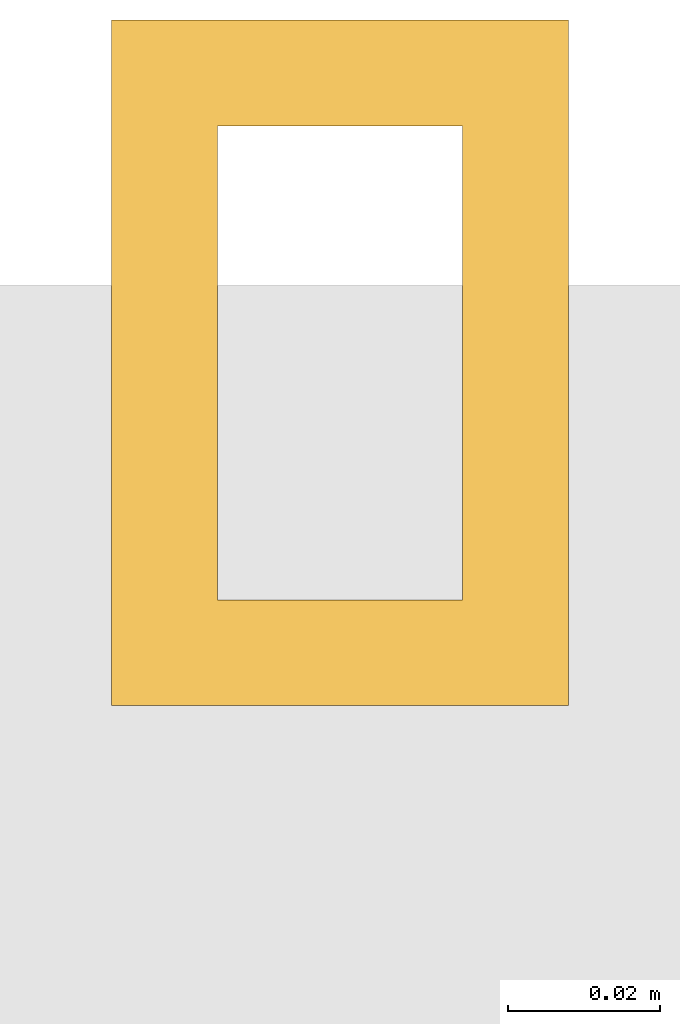
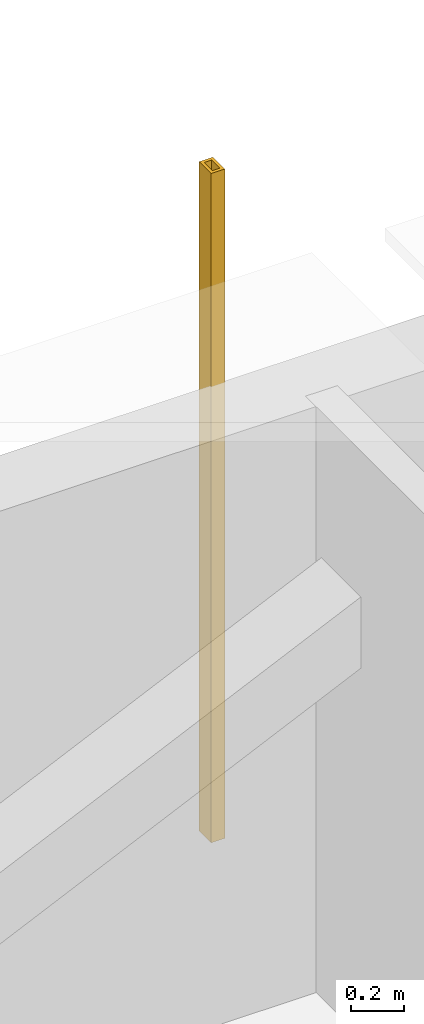
# One storey, part 42 of 43: 1 shading device.
"""IFC4 building model written with IfcOpenShell, lengths in metres."""

from ifc_helpers import new_model, si_unit, direction, frame, origin, origin_2d, place, context, subcontext, project, spatial, hollow_rectangle, extrude, material, material_profile, profile_set, type_object, element, save


model = new_model("IFC4")

# Units and contexts
model_context = context("Model", 3, precision=1e-05, world=origin(), true_north=direction((0.0, 1.0)))
body_context = subcontext(model_context, "Body", "Model", "MODEL_VIEW")
ifc_project = project(units=[si_unit("LENGTHUNIT", "METRE"), si_unit("AREAUNIT", "SQUARE_METRE"), si_unit("VOLUMEUNIT", "CUBIC_METRE"), si_unit("PLANEANGLEUNIT", "RADIAN"), si_unit("MASSUNIT", "GRAM", prefix="KILO")], contexts=[model_context])

# Site, building, storey
site_placement = place(None, origin())
site = spatial("IfcSite", under=ifc_project, at=site_placement, CompositionType="ELEMENT")
building_placement = place(site_placement, origin())
building = spatial("IfcBuilding", under=site, at=building_placement, Name="Punatoya Terracotta Tower", CompositionType="ELEMENT")
storey_placement = place(building_placement, frame((0.0, 0.0, 300.60009765625)))
storey = spatial("IfcBuildingStorey", under=building, at=storey_placement, Name="L71", CompositionType="ELEMENT", Elevation=300.60009765625)

# Shading device
ifc_material = material(Name="Architectural Fired Terracotta", Category="masonry")
ifc_material_profile = material_profile(ifc_material, hollow_rectangle(XDim=0.06005859375, YDim=0.090087890625, WallThickness=0.013916015625, at=origin_2d()))
ifc_profile_set = profile_set([ifc_material_profile], Name="Architectural Fired Terracotta")
shading_device_type = type_object("IfcShadingDeviceType", Name="SHD-JALI-90", PredefinedType="JALOUSIE", material=ifc_profile_set)
shading_device_placement = place(storey_placement, frame((0.0, 23.449951171875, 0.599853515625), z_axis=(0.0, 0.0, 1.0), x_axis=(1.0, 0.0, 0.0)))
element("IfcShadingDevice", 1, at=shading_device_placement, inside=storey, type_object=shading_device_type, Name="L71 Braced Bay Terracotta Jali Fin N1", PredefinedType="JALOUSIE", context=body_context, shape_type="SweptSolid", body=[
    extrude(hollow_rectangle(XDim=0.06005859375, YDim=0.090087890625, WallThickness=0.013916015625, at=origin_2d()), origin(), (0.0, 0.0, 1.0), 3.10009765625),
])

save(model, "model.ifc")
